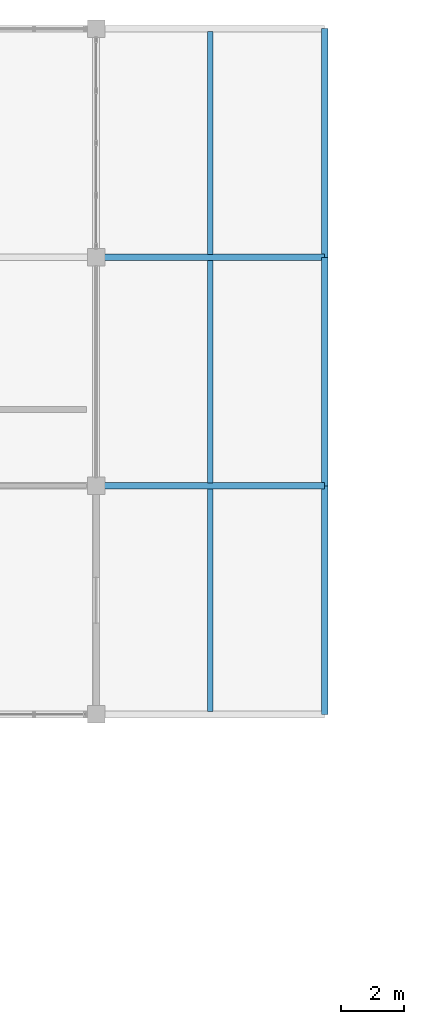
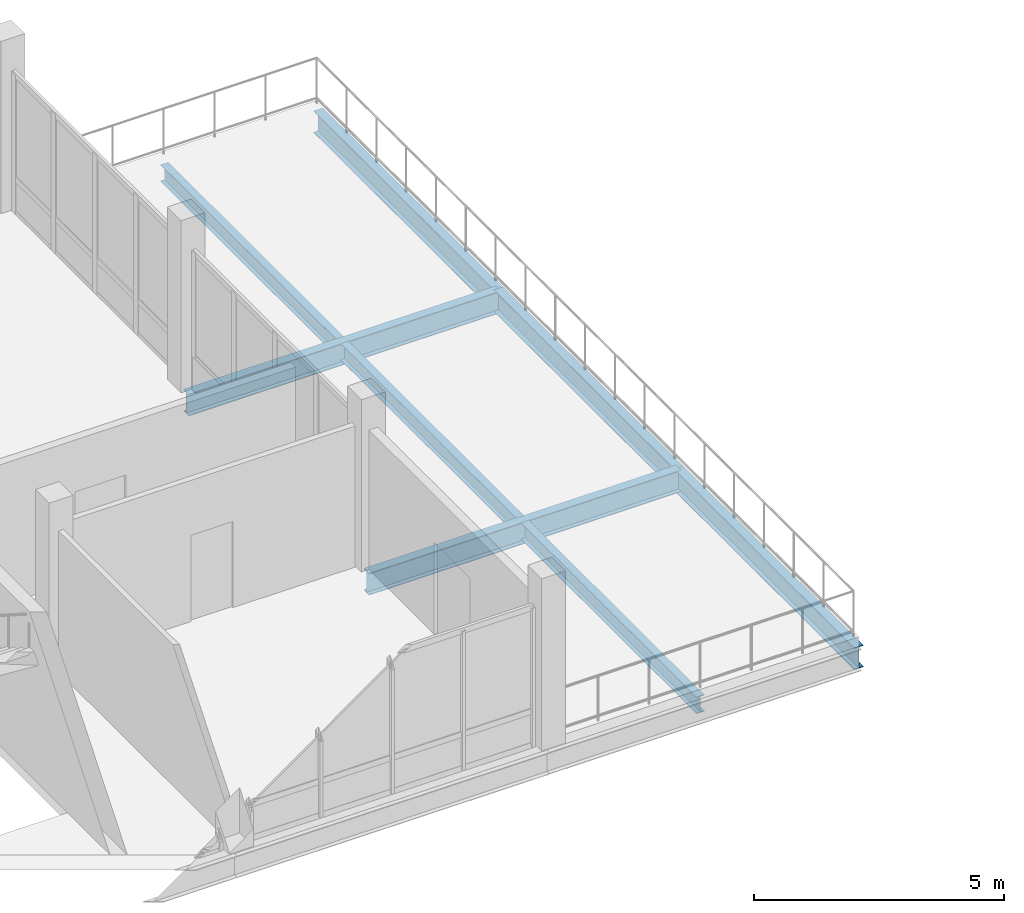
# One storey, part 27 of 47: 8 beams.
"""IFC4 building model written with IfcOpenShell, lengths in metres."""

from ifc_helpers import new_model, si_unit, direction, frame, origin, origin_2d, place, context, subcontext, project, spatial, i_section, extrude, material, material_profile, profile_set, type_object, element, save


model = new_model("IFC4")

# Units and contexts
model_context = context("Model", 3, precision=1e-05, world=origin(), true_north=direction((0.0, 1.0)))
body_context = subcontext(model_context, "Body", "Model", "MODEL_VIEW")
ifc_project = project(units=[si_unit("LENGTHUNIT", "METRE"), si_unit("AREAUNIT", "SQUARE_METRE"), si_unit("VOLUMEUNIT", "CUBIC_METRE"), si_unit("PLANEANGLEUNIT", "RADIAN"), si_unit("MASSUNIT", "GRAM", prefix="KILO")], contexts=[model_context])

# Site, building, storey
site_placement = place(None, origin())
site = spatial("IfcSite", under=ifc_project, at=site_placement, CompositionType="ELEMENT")
building_placement = place(site_placement, origin())
building = spatial("IfcBuilding", under=site, at=building_placement, Name="Yarey Park Central Fire Station", CompositionType="ELEMENT")
storey_placement = place(building_placement, frame((0.0, 0.0, 18.0)))
storey = spatial("IfcBuildingStorey", under=building, at=storey_placement, Name="L05", CompositionType="ELEMENT", Elevation=18.0)

# Beams
ifc_material = material(Name="Steel ASTM A992 Gr. 50", Category="steel")
ifc_material_profile_1 = material_profile(ifc_material, i_section(OverallWidth=0.208984375, OverallDepth=0.532958984375, WebThickness=0.01025390625, FlangeThickness=0.015625, at=origin_2d()), Name="W530x92")
ifc_profile_set_1 = profile_set([ifc_material_profile_1], Name="Steel ASTM A992 Gr. 50")
beam_type_1 = type_object("IfcBeamType", Name="STR_BM_W530", PredefinedType="BEAM", material=ifc_profile_set_1)
for number, where, z_axis, x_axis, name in (
    (1, (151.199951171875, 100.800048828125, -0.50146484375), (1.0, 0.0, 0.0), (0.0, 1.0, 0.0), "BMX L05 Y1008 X1512"),
    (2, (151.199951171875, 108.0, -0.50146484375), (1.0, 0.0, 0.0), (0.0, 1.0, 0.0), "BMX L05 Y1080 X1512"),
    (3, (158.39990234375, 93.60009765625, -0.50146484375), (0.0, 1.0, 0.0), (-1.0, 0.0, 0.0), "BMY L05 X1584 Y936"),
    (4, (158.39990234375, 100.800048828125, -0.50146484375), (0.0, 1.0, 0.0), (-1.0, 0.0, 0.0), "BMY L05 X1584 Y1008"),
    (5, (158.39990234375, 108.0, -0.50146484375), (0.0, 1.0, 0.0), (-1.0, 0.0, 0.0), "BMY L05 X1584 Y1080"),
):
    element("IfcBeam", number, at=place(storey_placement, frame(where, z_axis=z_axis, x_axis=x_axis)), inside=storey, type_object=beam_type_1, Name=name, PredefinedType="BEAM", context=body_context, shape_type="SweptSolid", body=[
        extrude(i_section(OverallWidth=0.208984375, OverallDepth=0.532958984375, WebThickness=0.01025390625, FlangeThickness=0.015625, at=origin_2d()), origin(), (0.0, 0.0, 1.0), 7.199951171875),
    ])
ifc_material_profile_2 = material_profile(ifc_material, i_section(OverallWidth=0.177978515625, OverallDepth=0.406982421875, WebThickness=0.0078125, FlangeThickness=0.0126953125, at=origin_2d()), Name="W410x60")
ifc_profile_set_2 = profile_set([ifc_material_profile_2], Name="Steel ASTM A992 Gr. 50")
beam_type_2 = type_object("IfcBeamType", Name="STR_JST_W410", PredefinedType="JOIST", material=ifc_profile_set_2)
for number, where, z_axis, x_axis, name in (
    (6, (154.800048828125, 93.695068359375, -0.4384765625), (0.0, 1.0, 0.0), (-1.0, 0.0, 0.0), "JST L05 X1548 Y936"),
    (7, (154.800048828125, 100.89501953125, -0.4384765625), (0.0, 1.0, 0.0), (-1.0, 0.0, 0.0), "JST L05 X1548 Y1008"),
    (8, (154.800048828125, 108.094970703125, -0.4384765625), (0.0, 1.0, 0.0), (-1.0, 0.0, 0.0), "JST L05 X1548 Y1080"),
):
    element("IfcBeam", number, at=place(storey_placement, frame(where, z_axis=z_axis, x_axis=x_axis)), inside=storey, type_object=beam_type_2, Name=name, PredefinedType="JOIST", context=body_context, shape_type="SweptSolid", body=[
        extrude(i_section(OverallWidth=0.177978515625, OverallDepth=0.406982421875, WebThickness=0.0078125, FlangeThickness=0.0126953125, at=origin_2d()), origin(), (0.0, 0.0, 1.0), 7.010009765625),
    ])

save(model, "model.ifc")
